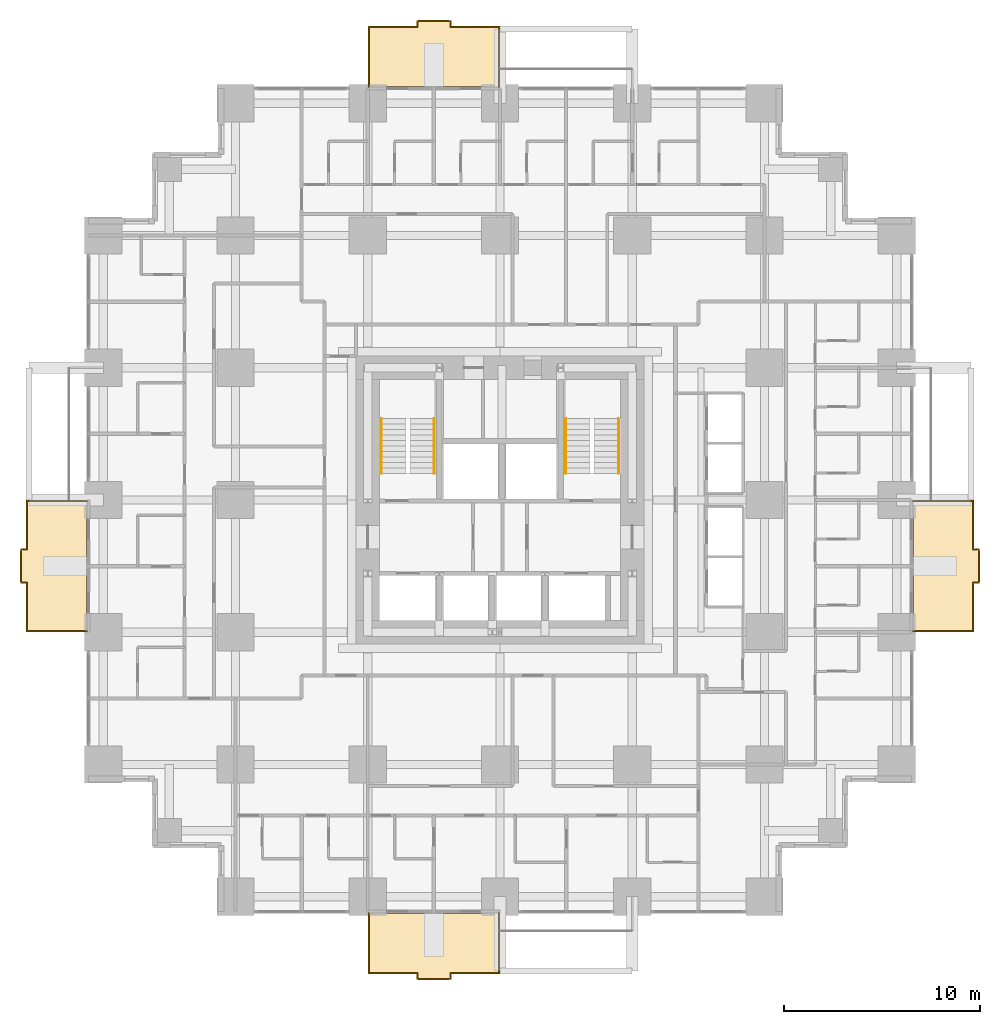
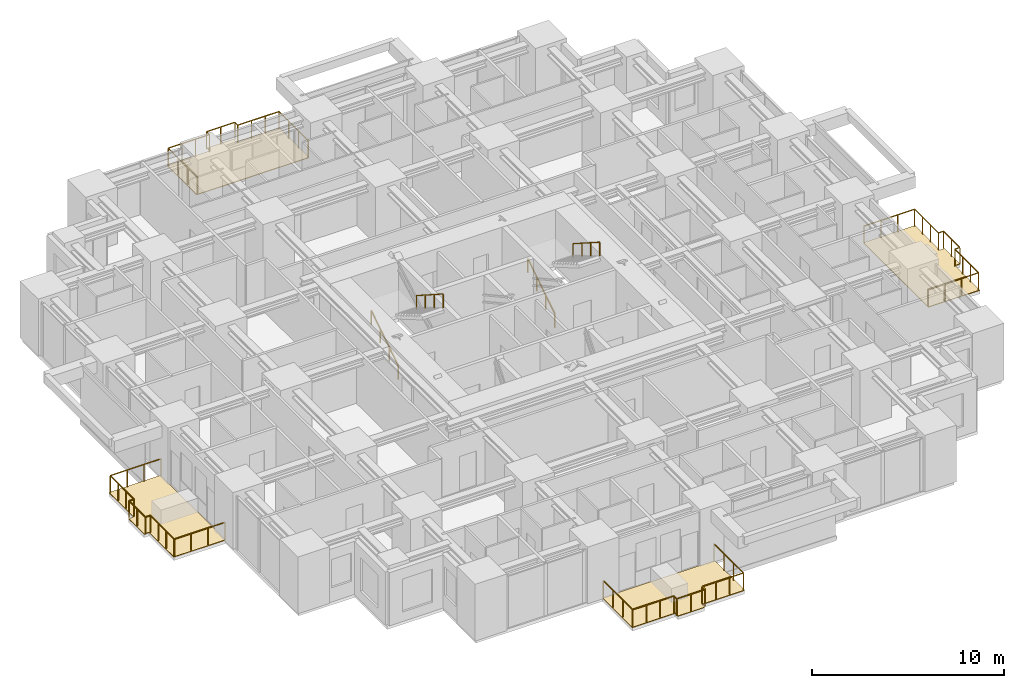
# One storey, part 15 of 15: 8 railings, 4 coverings.
"""IFC4 building model written with IfcOpenShell, lengths in metres."""

from ifc_helpers import new_model, si_unit, direction, frame, origin, origin_2d, place, context, subcontext, project, spatial, polyline, rectangle, outline, extrude, material, layer, layer_set, type_object, element, save


model = new_model("IFC4")

# Units and contexts
model_context = context("Model", 3, precision=1e-05, world=origin(), true_north=direction((0.0, 1.0)))
body_context = subcontext(model_context, "Body", "Model", "MODEL_VIEW")
ifc_project = project(units=[si_unit("LENGTHUNIT", "METRE"), si_unit("AREAUNIT", "SQUARE_METRE"), si_unit("VOLUMEUNIT", "CUBIC_METRE"), si_unit("PLANEANGLEUNIT", "RADIAN"), si_unit("MASSUNIT", "GRAM", prefix="KILO")], contexts=[model_context])

# Site, building, storey
site_placement = place(None, origin())
site = spatial("IfcSite", under=ifc_project, at=site_placement, CompositionType="ELEMENT")
building_placement = place(site_placement, origin())
building = spatial("IfcBuilding", under=site, at=building_placement, Name="Nyansa Garden Tower", CompositionType="ELEMENT")
storey_placement = place(building_placement, frame((0.0, 0.0, 25.199951171875)))
storey = spatial("IfcBuildingStorey", under=building, at=storey_placement, Name="L06", CompositionType="ELEMENT", Elevation=25.199951171875)

# Coverings
ifc_material_1 = material(Name="Hardwood decking on pedestals", Category="wood")
ifc_layer = layer(ifc_material_1, 0.0400390625)
ifc_layer_set = layer_set([ifc_layer], Name="Balcony decking DK40")
covering_type = type_object("IfcCoveringType", Name="Balcony decking DK40", PredefinedType="FLOORING", material=ifc_layer_set)
covering_1_placement = place(storey_placement, frame((0.0, 0.0, -0.0400390625)))
element("IfcCovering", 1, at=covering_1_placement, inside=storey, type_object=covering_type, Name="Balcony decking L06", PredefinedType="FLOORING", context=body_context, shape_type="SweptSolid", body=[
    extrude(outline(polyline([(13.5, -0.85009765625), (20.25, -0.85009765625), (20.25, -3.949951171875), (17.675048828125, -3.949951171875), (17.675048828125, -4.25), (16.074951171875, -4.25), (16.074951171875, -3.949951171875), (13.5, -3.949951171875), (13.5, -0.85009765625)])), origin(), (0.0, 0.0, 1.0), 0.0400390625),
])
covering_2_placement = place(storey_placement, frame((0.0, 0.0, -0.0400390625)))
element("IfcCovering", 2, at=covering_2_placement, inside=storey, type_object=covering_type, Name="Balcony decking L06", PredefinedType="FLOORING", context=body_context, shape_type="SweptSolid", body=[
    extrude(outline(polyline([(41.35009765625, 13.5), (41.35009765625, 20.25), (44.449951171875, 20.25), (44.449951171875, 17.675048828125), (44.75, 17.675048828125), (44.75, 16.074951171875), (44.449951171875, 16.074951171875), (44.449951171875, 13.5), (41.35009765625, 13.5)])), origin(), (0.0, 0.0, 1.0), 0.0400390625),
])
covering_3_placement = place(storey_placement, frame((0.0, 0.0, -0.0400390625)))
element("IfcCovering", 3, at=covering_3_placement, inside=storey, type_object=covering_type, Name="Balcony decking L06", PredefinedType="FLOORING", context=body_context, shape_type="SweptSolid", body=[
    extrude(outline(polyline([(13.5, 41.35009765625), (20.25, 41.35009765625), (20.25, 44.449951171875), (17.675048828125, 44.449951171875), (17.675048828125, 44.75), (16.074951171875, 44.75), (16.074951171875, 44.449951171875), (13.5, 44.449951171875), (13.5, 41.35009765625)])), origin(), (0.0, 0.0, 1.0), 0.0400390625),
])
covering_4_placement = place(storey_placement, frame((0.0, 0.0, -0.0400390625)))
element("IfcCovering", 4, at=covering_4_placement, inside=storey, type_object=covering_type, Name="Balcony decking L06", PredefinedType="FLOORING", context=body_context, shape_type="SweptSolid", body=[
    extrude(outline(polyline([(-0.85009765625, 13.5), (-0.85009765625, 20.25), (-3.949951171875, 20.25), (-3.949951171875, 17.675048828125), (-4.25, 17.675048828125), (-4.25, 16.074951171875), (-3.949951171875, 16.074951171875), (-3.949951171875, 13.5), (-0.85009765625, 13.5)])), origin(), (0.0, 0.0, 1.0), 0.0400390625),
])

# Railings
ifc_material_2 = material(Name="Black powder-coated steel balusters, laminated glass infill", Category="steel")
railing_type_1 = type_object("IfcRailingType", Name="Balcony guard G1", PredefinedType="GUARDRAIL", material=ifc_material_2)
railing_1_placement = place(storey_placement, frame((13.550048828125, -0.85009765625, 0.0)))
element("IfcRailing", 5, at=railing_1_placement, inside=storey, type_object=railing_type_1, Name="Balcony guard L06", PredefinedType="GUARDRAIL", context=body_context, shape_type="SweptSolid", body=[
    extrude(rectangle(XDim=0.048095703125, YDim=0.048095703125, at=origin_2d()), frame((0.0, 0.0, 1.076171875), z_axis=(0.0, -1.0, 0.0), x_axis=(1.0, 0.0, 0.0)), (0.0, 0.0, 1.0), 3.0498046875),
    extrude(rectangle(XDim=0.048095703125, YDim=0.048095703125, at=origin_2d()), frame((0.0, -3.0498046875, 1.076171875), z_axis=(1.0, 0.0, 0.0), x_axis=(0.0, 1.0, 0.0)), (0.0, 0.0, 1.0), 2.474853515625),
    extrude(rectangle(XDim=0.048095703125, YDim=0.048095703125, at=origin_2d()), frame((2.474853515625, -3.0498046875, 1.076171875), z_axis=(0.0, -1.0, 0.0), x_axis=(1.0, 0.0, 0.0)), (0.0, 0.0, 1.0), 0.300048828125),
    extrude(rectangle(XDim=0.048095703125, YDim=0.048095703125, at=origin_2d()), frame((2.474853515625, -3.349853515625, 1.076171875), z_axis=(1.0, 0.0, 0.0), x_axis=(0.0, 1.0, 0.0)), (0.0, 0.0, 1.0), 1.7001953125),
    extrude(rectangle(XDim=0.048095703125, YDim=0.048095703125, at=origin_2d()), frame((4.175048828125, -3.349853515625, 1.076171875), z_axis=(0.0, 1.0, 0.0), x_axis=(-1.0, 0.0, 0.0)), (0.0, 0.0, 1.0), 0.300048828125),
    extrude(rectangle(XDim=0.048095703125, YDim=0.048095703125, at=origin_2d()), frame((4.175048828125, -3.0498046875, 1.076171875), z_axis=(1.0, 0.0, 0.0), x_axis=(0.0, 1.0, 0.0)), (0.0, 0.0, 1.0), 2.474853515625),
    extrude(rectangle(XDim=0.048095703125, YDim=0.048095703125, at=origin_2d()), frame((6.64990234375, -3.0498046875, 1.076171875), z_axis=(0.0, 1.0, 0.0), x_axis=(-1.0, 0.0, 0.0)), (0.0, 0.0, 1.0), 3.0498046875),
    extrude(rectangle(XDim=0.0419921875, YDim=0.0419921875, at=origin_2d()), origin(), (0.0, 0.0, 1.0), 1.052001953125),
    extrude(rectangle(XDim=0.0419921875, YDim=0.0419921875, at=origin_2d()), frame((0.0, -1.0166015625, 0.0)), (0.0, 0.0, 1.0), 1.052001953125),
    extrude(rectangle(XDim=0.0419921875, YDim=0.0419921875, at=origin_2d()), frame((0.0, -2.033203125, 0.0)), (0.0, 0.0, 1.0), 1.052001953125),
    extrude(rectangle(XDim=0.0419921875, YDim=0.0419921875, at=origin_2d()), frame((0.0, -3.0498046875, 0.0)), (0.0, 0.0, 1.0), 1.052001953125),
    extrude(rectangle(XDim=0.0419921875, YDim=0.0419921875, at=origin_2d()), frame((0.824951171875, -3.0498046875, 0.0)), (0.0, 0.0, 1.0), 1.052001953125),
    extrude(rectangle(XDim=0.0419921875, YDim=0.0419921875, at=origin_2d()), frame((1.64990234375, -3.0498046875, 0.0)), (0.0, 0.0, 1.0), 1.052001953125),
    extrude(rectangle(XDim=0.0419921875, YDim=0.0419921875, at=origin_2d()), frame((2.474853515625, -3.0498046875, 0.0)), (0.0, 0.0, 1.0), 1.052001953125),
    extrude(rectangle(XDim=0.0419921875, YDim=0.0419921875, at=origin_2d()), frame((2.474853515625, -3.349853515625, 0.0)), (0.0, 0.0, 1.0), 1.052001953125),
    extrude(rectangle(XDim=0.0419921875, YDim=0.0419921875, at=origin_2d()), frame((3.324951171875, -3.349853515625, 0.0)), (0.0, 0.0, 1.0), 1.052001953125),
    extrude(rectangle(XDim=0.0419921875, YDim=0.0419921875, at=origin_2d()), frame((4.175048828125, -3.349853515625, 0.0)), (0.0, 0.0, 1.0), 1.052001953125),
    extrude(rectangle(XDim=0.0419921875, YDim=0.0419921875, at=origin_2d()), frame((4.175048828125, -3.0498046875, 0.0)), (0.0, 0.0, 1.0), 1.052001953125),
    extrude(rectangle(XDim=0.0419921875, YDim=0.0419921875, at=origin_2d()), frame((5.0, -3.0498046875, 0.0)), (0.0, 0.0, 1.0), 1.052001953125),
    extrude(rectangle(XDim=0.0419921875, YDim=0.0419921875, at=origin_2d()), frame((5.824951171875, -3.0498046875, 0.0)), (0.0, 0.0, 1.0), 1.052001953125),
    extrude(rectangle(XDim=0.0419921875, YDim=0.0419921875, at=origin_2d()), frame((6.64990234375, -3.0498046875, 0.0)), (0.0, 0.0, 1.0), 1.052001953125),
    extrude(rectangle(XDim=0.0419921875, YDim=0.0419921875, at=origin_2d()), frame((6.64990234375, -2.033203125, 0.0)), (0.0, 0.0, 1.0), 1.052001953125),
    extrude(rectangle(XDim=0.0419921875, YDim=0.0419921875, at=origin_2d()), frame((6.64990234375, -1.0166015625, 0.0)), (0.0, 0.0, 1.0), 1.052001953125),
    extrude(rectangle(XDim=0.0419921875, YDim=0.0419921875, at=origin_2d()), frame((6.64990234375, 0.0, 0.0)), (0.0, 0.0, 1.0), 1.052001953125),
])
railing_2_placement = place(storey_placement, frame((41.35009765625, 13.550048828125, 0.0)))
element("IfcRailing", 6, at=railing_2_placement, inside=storey, type_object=railing_type_1, Name="Balcony guard L06", PredefinedType="GUARDRAIL", context=body_context, shape_type="SweptSolid", body=[
    extrude(rectangle(XDim=0.048095703125, YDim=0.048095703125, at=origin_2d()), frame((0.0, 0.0, 1.076171875), z_axis=(1.0, 0.0, 0.0), x_axis=(0.0, 1.0, 0.0)), (0.0, 0.0, 1.0), 3.0498046875),
    extrude(rectangle(XDim=0.048095703125, YDim=0.048095703125, at=origin_2d()), frame((3.0498046875, 0.0, 1.076171875), z_axis=(0.0, 1.0, 0.0), x_axis=(-1.0, 0.0, 0.0)), (0.0, 0.0, 1.0), 2.474853515625),
    extrude(rectangle(XDim=0.048095703125, YDim=0.048095703125, at=origin_2d()), frame((3.0498046875, 2.474853515625, 1.076171875), z_axis=(1.0, 0.0, 0.0), x_axis=(0.0, 1.0, 0.0)), (0.0, 0.0, 1.0), 0.300048828125),
    extrude(rectangle(XDim=0.048095703125, YDim=0.048095703125, at=origin_2d()), frame((3.349853515625, 2.474853515625, 1.076171875), z_axis=(0.0, 1.0, 0.0), x_axis=(-1.0, 0.0, 0.0)), (0.0, 0.0, 1.0), 1.7001953125),
    extrude(rectangle(XDim=0.048095703125, YDim=0.048095703125, at=origin_2d()), frame((3.349853515625, 4.175048828125, 1.076171875), z_axis=(-1.0, 0.0, 0.0), x_axis=(0.0, -1.0, 0.0)), (0.0, 0.0, 1.0), 0.300048828125),
    extrude(rectangle(XDim=0.048095703125, YDim=0.048095703125, at=origin_2d()), frame((3.0498046875, 4.175048828125, 1.076171875), z_axis=(0.0, 1.0, 0.0), x_axis=(-1.0, 0.0, 0.0)), (0.0, 0.0, 1.0), 2.474853515625),
    extrude(rectangle(XDim=0.048095703125, YDim=0.048095703125, at=origin_2d()), frame((3.0498046875, 6.64990234375, 1.076171875), z_axis=(-1.0, 0.0, 0.0), x_axis=(0.0, -1.0, 0.0)), (0.0, 0.0, 1.0), 3.0498046875),
    extrude(rectangle(XDim=0.0419921875, YDim=0.0419921875, at=origin_2d()), origin(), (0.0, 0.0, 1.0), 1.052001953125),
    extrude(rectangle(XDim=0.0419921875, YDim=0.0419921875, at=origin_2d()), frame((1.0166015625, 0.0, 0.0)), (0.0, 0.0, 1.0), 1.052001953125),
    extrude(rectangle(XDim=0.0419921875, YDim=0.0419921875, at=origin_2d()), frame((2.033203125, 0.0, 0.0)), (0.0, 0.0, 1.0), 1.052001953125),
    extrude(rectangle(XDim=0.0419921875, YDim=0.0419921875, at=origin_2d()), frame((3.0498046875, 0.0, 0.0)), (0.0, 0.0, 1.0), 1.052001953125),
    extrude(rectangle(XDim=0.0419921875, YDim=0.0419921875, at=origin_2d()), frame((3.0498046875, 0.824951171875, 0.0)), (0.0, 0.0, 1.0), 1.052001953125),
    extrude(rectangle(XDim=0.0419921875, YDim=0.0419921875, at=origin_2d()), frame((3.0498046875, 1.64990234375, 0.0)), (0.0, 0.0, 1.0), 1.052001953125),
    extrude(rectangle(XDim=0.0419921875, YDim=0.0419921875, at=origin_2d()), frame((3.0498046875, 2.474853515625, 0.0)), (0.0, 0.0, 1.0), 1.052001953125),
    extrude(rectangle(XDim=0.0419921875, YDim=0.0419921875, at=origin_2d()), frame((3.349853515625, 2.474853515625, 0.0)), (0.0, 0.0, 1.0), 1.052001953125),
    extrude(rectangle(XDim=0.0419921875, YDim=0.0419921875, at=origin_2d()), frame((3.349853515625, 3.324951171875, 0.0)), (0.0, 0.0, 1.0), 1.052001953125),
    extrude(rectangle(XDim=0.0419921875, YDim=0.0419921875, at=origin_2d()), frame((3.349853515625, 4.175048828125, 0.0)), (0.0, 0.0, 1.0), 1.052001953125),
    extrude(rectangle(XDim=0.0419921875, YDim=0.0419921875, at=origin_2d()), frame((3.0498046875, 4.175048828125, 0.0)), (0.0, 0.0, 1.0), 1.052001953125),
    extrude(rectangle(XDim=0.0419921875, YDim=0.0419921875, at=origin_2d()), frame((3.0498046875, 5.0, 0.0)), (0.0, 0.0, 1.0), 1.052001953125),
    extrude(rectangle(XDim=0.0419921875, YDim=0.0419921875, at=origin_2d()), frame((3.0498046875, 5.824951171875, 0.0)), (0.0, 0.0, 1.0), 1.052001953125),
    extrude(rectangle(XDim=0.0419921875, YDim=0.0419921875, at=origin_2d()), frame((3.0498046875, 6.64990234375, 0.0)), (0.0, 0.0, 1.0), 1.052001953125),
    extrude(rectangle(XDim=0.0419921875, YDim=0.0419921875, at=origin_2d()), frame((2.033203125, 6.64990234375, 0.0)), (0.0, 0.0, 1.0), 1.052001953125),
    extrude(rectangle(XDim=0.0419921875, YDim=0.0419921875, at=origin_2d()), frame((1.0166015625, 6.64990234375, 0.0)), (0.0, 0.0, 1.0), 1.052001953125),
    extrude(rectangle(XDim=0.0419921875, YDim=0.0419921875, at=origin_2d()), frame((0.0, 6.64990234375, 0.0)), (0.0, 0.0, 1.0), 1.052001953125),
])
railing_3_placement = place(storey_placement, frame((13.550048828125, 41.35009765625, 0.0)))
element("IfcRailing", 7, at=railing_3_placement, inside=storey, type_object=railing_type_1, Name="Balcony guard L06", PredefinedType="GUARDRAIL", context=body_context, shape_type="SweptSolid", body=[
    extrude(rectangle(XDim=0.048095703125, YDim=0.048095703125, at=origin_2d()), frame((0.0, 0.0, 1.076171875), z_axis=(0.0, 1.0, 0.0), x_axis=(-1.0, 0.0, 0.0)), (0.0, 0.0, 1.0), 3.0498046875),
    extrude(rectangle(XDim=0.048095703125, YDim=0.048095703125, at=origin_2d()), frame((0.0, 3.0498046875, 1.076171875), z_axis=(1.0, 0.0, 0.0), x_axis=(0.0, 1.0, 0.0)), (0.0, 0.0, 1.0), 2.474853515625),
    extrude(rectangle(XDim=0.048095703125, YDim=0.048095703125, at=origin_2d()), frame((2.474853515625, 3.0498046875, 1.076171875), z_axis=(0.0, 1.0, 0.0), x_axis=(-1.0, 0.0, 0.0)), (0.0, 0.0, 1.0), 0.300048828125),
    extrude(rectangle(XDim=0.048095703125, YDim=0.048095703125, at=origin_2d()), frame((2.474853515625, 3.349853515625, 1.076171875), z_axis=(1.0, 0.0, 0.0), x_axis=(0.0, 1.0, 0.0)), (0.0, 0.0, 1.0), 1.7001953125),
    extrude(rectangle(XDim=0.048095703125, YDim=0.048095703125, at=origin_2d()), frame((4.175048828125, 3.349853515625, 1.076171875), z_axis=(0.0, -1.0, 0.0), x_axis=(1.0, 0.0, 0.0)), (0.0, 0.0, 1.0), 0.300048828125),
    extrude(rectangle(XDim=0.048095703125, YDim=0.048095703125, at=origin_2d()), frame((4.175048828125, 3.0498046875, 1.076171875), z_axis=(1.0, 0.0, 0.0), x_axis=(0.0, 1.0, 0.0)), (0.0, 0.0, 1.0), 2.474853515625),
    extrude(rectangle(XDim=0.048095703125, YDim=0.048095703125, at=origin_2d()), frame((6.64990234375, 3.0498046875, 1.076171875), z_axis=(0.0, -1.0, 0.0), x_axis=(1.0, 0.0, 0.0)), (0.0, 0.0, 1.0), 3.0498046875),
    extrude(rectangle(XDim=0.0419921875, YDim=0.0419921875, at=origin_2d()), origin(), (0.0, 0.0, 1.0), 1.052001953125),
    extrude(rectangle(XDim=0.0419921875, YDim=0.0419921875, at=origin_2d()), frame((0.0, 1.0166015625, 0.0)), (0.0, 0.0, 1.0), 1.052001953125),
    extrude(rectangle(XDim=0.0419921875, YDim=0.0419921875, at=origin_2d()), frame((0.0, 2.033203125, 0.0)), (0.0, 0.0, 1.0), 1.052001953125),
    extrude(rectangle(XDim=0.0419921875, YDim=0.0419921875, at=origin_2d()), frame((0.0, 3.0498046875, 0.0)), (0.0, 0.0, 1.0), 1.052001953125),
    extrude(rectangle(XDim=0.0419921875, YDim=0.0419921875, at=origin_2d()), frame((0.824951171875, 3.0498046875, 0.0)), (0.0, 0.0, 1.0), 1.052001953125),
    extrude(rectangle(XDim=0.0419921875, YDim=0.0419921875, at=origin_2d()), frame((1.64990234375, 3.0498046875, 0.0)), (0.0, 0.0, 1.0), 1.052001953125),
    extrude(rectangle(XDim=0.0419921875, YDim=0.0419921875, at=origin_2d()), frame((2.474853515625, 3.0498046875, 0.0)), (0.0, 0.0, 1.0), 1.052001953125),
    extrude(rectangle(XDim=0.0419921875, YDim=0.0419921875, at=origin_2d()), frame((2.474853515625, 3.349853515625, 0.0)), (0.0, 0.0, 1.0), 1.052001953125),
    extrude(rectangle(XDim=0.0419921875, YDim=0.0419921875, at=origin_2d()), frame((3.324951171875, 3.349853515625, 0.0)), (0.0, 0.0, 1.0), 1.052001953125),
    extrude(rectangle(XDim=0.0419921875, YDim=0.0419921875, at=origin_2d()), frame((4.175048828125, 3.349853515625, 0.0)), (0.0, 0.0, 1.0), 1.052001953125),
    extrude(rectangle(XDim=0.0419921875, YDim=0.0419921875, at=origin_2d()), frame((4.175048828125, 3.0498046875, 0.0)), (0.0, 0.0, 1.0), 1.052001953125),
    extrude(rectangle(XDim=0.0419921875, YDim=0.0419921875, at=origin_2d()), frame((5.0, 3.0498046875, 0.0)), (0.0, 0.0, 1.0), 1.052001953125),
    extrude(rectangle(XDim=0.0419921875, YDim=0.0419921875, at=origin_2d()), frame((5.824951171875, 3.0498046875, 0.0)), (0.0, 0.0, 1.0), 1.052001953125),
    extrude(rectangle(XDim=0.0419921875, YDim=0.0419921875, at=origin_2d()), frame((6.64990234375, 3.0498046875, 0.0)), (0.0, 0.0, 1.0), 1.052001953125),
    extrude(rectangle(XDim=0.0419921875, YDim=0.0419921875, at=origin_2d()), frame((6.64990234375, 2.033203125, 0.0)), (0.0, 0.0, 1.0), 1.052001953125),
    extrude(rectangle(XDim=0.0419921875, YDim=0.0419921875, at=origin_2d()), frame((6.64990234375, 1.0166015625, 0.0)), (0.0, 0.0, 1.0), 1.052001953125),
    extrude(rectangle(XDim=0.0419921875, YDim=0.0419921875, at=origin_2d()), frame((6.64990234375, 0.0, 0.0)), (0.0, 0.0, 1.0), 1.052001953125),
])
railing_4_placement = place(storey_placement, frame((-0.85009765625, 13.550048828125, 0.0)))
element("IfcRailing", 8, at=railing_4_placement, inside=storey, type_object=railing_type_1, Name="Balcony guard L06", PredefinedType="GUARDRAIL", context=body_context, shape_type="SweptSolid", body=[
    extrude(rectangle(XDim=0.048095703125, YDim=0.048095703125, at=origin_2d()), frame((0.0, 0.0, 1.076171875), z_axis=(-1.0, 0.0, 0.0), x_axis=(0.0, -1.0, 0.0)), (0.0, 0.0, 1.0), 3.0498046875),
    extrude(rectangle(XDim=0.048095703125, YDim=0.048095703125, at=origin_2d()), frame((-3.0498046875, 0.0, 1.076171875), z_axis=(0.0, 1.0, 0.0), x_axis=(-1.0, 0.0, 0.0)), (0.0, 0.0, 1.0), 2.474853515625),
    extrude(rectangle(XDim=0.048095703125, YDim=0.048095703125, at=origin_2d()), frame((-3.0498046875, 2.474853515625, 1.076171875), z_axis=(-1.0, 0.0, 0.0), x_axis=(0.0, -1.0, 0.0)), (0.0, 0.0, 1.0), 0.300048828125),
    extrude(rectangle(XDim=0.048095703125, YDim=0.048095703125, at=origin_2d()), frame((-3.349853515625, 2.474853515625, 1.076171875), z_axis=(0.0, 1.0, 0.0), x_axis=(-1.0, 0.0, 0.0)), (0.0, 0.0, 1.0), 1.7001953125),
    extrude(rectangle(XDim=0.048095703125, YDim=0.048095703125, at=origin_2d()), frame((-3.349853515625, 4.175048828125, 1.076171875), z_axis=(1.0, 0.0, 0.0), x_axis=(0.0, 1.0, 0.0)), (0.0, 0.0, 1.0), 0.300048828125),
    extrude(rectangle(XDim=0.048095703125, YDim=0.048095703125, at=origin_2d()), frame((-3.0498046875, 4.175048828125, 1.076171875), z_axis=(0.0, 1.0, 0.0), x_axis=(-1.0, 0.0, 0.0)), (0.0, 0.0, 1.0), 2.474853515625),
    extrude(rectangle(XDim=0.048095703125, YDim=0.048095703125, at=origin_2d()), frame((-3.0498046875, 6.64990234375, 1.076171875), z_axis=(1.0, 0.0, 0.0), x_axis=(0.0, 1.0, 0.0)), (0.0, 0.0, 1.0), 3.0498046875),
    extrude(rectangle(XDim=0.0419921875, YDim=0.0419921875, at=origin_2d()), origin(), (0.0, 0.0, 1.0), 1.052001953125),
    extrude(rectangle(XDim=0.0419921875, YDim=0.0419921875, at=origin_2d()), frame((-1.0166015625, 0.0, 0.0)), (0.0, 0.0, 1.0), 1.052001953125),
    extrude(rectangle(XDim=0.0419921875, YDim=0.0419921875, at=origin_2d()), frame((-2.033203125, 0.0, 0.0)), (0.0, 0.0, 1.0), 1.052001953125),
    extrude(rectangle(XDim=0.0419921875, YDim=0.0419921875, at=origin_2d()), frame((-3.0498046875, 0.0, 0.0)), (0.0, 0.0, 1.0), 1.052001953125),
    extrude(rectangle(XDim=0.0419921875, YDim=0.0419921875, at=origin_2d()), frame((-3.0498046875, 0.824951171875, 0.0)), (0.0, 0.0, 1.0), 1.052001953125),
    extrude(rectangle(XDim=0.0419921875, YDim=0.0419921875, at=origin_2d()), frame((-3.0498046875, 1.64990234375, 0.0)), (0.0, 0.0, 1.0), 1.052001953125),
    extrude(rectangle(XDim=0.0419921875, YDim=0.0419921875, at=origin_2d()), frame((-3.0498046875, 2.474853515625, 0.0)), (0.0, 0.0, 1.0), 1.052001953125),
    extrude(rectangle(XDim=0.0419921875, YDim=0.0419921875, at=origin_2d()), frame((-3.349853515625, 2.474853515625, 0.0)), (0.0, 0.0, 1.0), 1.052001953125),
    extrude(rectangle(XDim=0.0419921875, YDim=0.0419921875, at=origin_2d()), frame((-3.349853515625, 3.324951171875, 0.0)), (0.0, 0.0, 1.0), 1.052001953125),
    extrude(rectangle(XDim=0.0419921875, YDim=0.0419921875, at=origin_2d()), frame((-3.349853515625, 4.175048828125, 0.0)), (0.0, 0.0, 1.0), 1.052001953125),
    extrude(rectangle(XDim=0.0419921875, YDim=0.0419921875, at=origin_2d()), frame((-3.0498046875, 4.175048828125, 0.0)), (0.0, 0.0, 1.0), 1.052001953125),
    extrude(rectangle(XDim=0.0419921875, YDim=0.0419921875, at=origin_2d()), frame((-3.0498046875, 5.0, 0.0)), (0.0, 0.0, 1.0), 1.052001953125),
    extrude(rectangle(XDim=0.0419921875, YDim=0.0419921875, at=origin_2d()), frame((-3.0498046875, 5.824951171875, 0.0)), (0.0, 0.0, 1.0), 1.052001953125),
    extrude(rectangle(XDim=0.0419921875, YDim=0.0419921875, at=origin_2d()), frame((-3.0498046875, 6.64990234375, 0.0)), (0.0, 0.0, 1.0), 1.052001953125),
    extrude(rectangle(XDim=0.0419921875, YDim=0.0419921875, at=origin_2d()), frame((-2.033203125, 6.64990234375, 0.0)), (0.0, 0.0, 1.0), 1.052001953125),
    extrude(rectangle(XDim=0.0419921875, YDim=0.0419921875, at=origin_2d()), frame((-1.0166015625, 6.64990234375, 0.0)), (0.0, 0.0, 1.0), 1.052001953125),
    extrude(rectangle(XDim=0.0419921875, YDim=0.0419921875, at=origin_2d()), frame((0.0, 6.64990234375, 0.0)), (0.0, 0.0, 1.0), 1.052001953125),
])
ifc_material_3 = material(Name="Black powder-coated steel tube 48 mm", Category="steel")
railing_type_2 = type_object("IfcRailingType", Name="Stair handrail HR1", PredefinedType="HANDRAIL", material=ifc_material_3)
railing_5_placement = place(storey_placement, frame((14.199951171875, 21.60009765625, 0.0)))
element("IfcRailing", 9, at=railing_5_placement, inside=storey, type_object=railing_type_2, Name="Stair S1 handrail L06", PredefinedType="HANDRAIL", context=body_context, shape_type="SweptSolid", body=[
    extrude(rectangle(XDim=0.048095703125, YDim=0.048095703125, at=origin_2d()), frame((0.0, 0.0, 0.8759765625), z_axis=(0.0, 0.841154643086, 0.54079466197), x_axis=(-1.0, 0.0, 0.0)), (0.0, 0.0, 1.0), 3.32861328125),
    extrude(rectangle(XDim=0.0419921875, YDim=0.0419921875, at=origin_2d()), origin(), (0.0, 0.0, 1.0), 0.851806640625),
    extrude(rectangle(XDim=0.0419921875, YDim=0.0419921875, at=origin_2d()), frame((0.0, 0.933349609375, 0.60009765625)), (0.0, 0.0, 1.0), 0.851806640625),
    extrude(rectangle(XDim=0.0419921875, YDim=0.0419921875, at=origin_2d()), frame((0.0, 1.866455078125, 1.199951171875)), (0.0, 0.0, 1.0), 0.851806640625),
    extrude(rectangle(XDim=0.0419921875, YDim=0.0419921875, at=origin_2d()), frame((0.0, 2.7998046875, 1.800048828125)), (0.0, 0.0, 1.0), 0.851806640625),
])
railing_6_placement = place(storey_placement, frame((16.89990234375, 24.39990234375, 1.800048828125)))
element("IfcRailing", 10, at=railing_6_placement, inside=storey, type_object=railing_type_2, Name="Stair S1 handrail L06", PredefinedType="HANDRAIL", context=body_context, shape_type="SweptSolid", body=[
    extrude(rectangle(XDim=0.048095703125, YDim=0.048095703125, at=origin_2d()), frame((0.0, 0.0, 0.8759765625), z_axis=(0.0, -0.841154643086, 0.54079466197), x_axis=(1.0, 0.0, 0.0)), (0.0, 0.0, 1.0), 3.32861328125),
    extrude(rectangle(XDim=0.0419921875, YDim=0.0419921875, at=origin_2d()), origin(), (0.0, 0.0, 1.0), 0.851806640625),
    extrude(rectangle(XDim=0.0419921875, YDim=0.0419921875, at=origin_2d()), frame((0.0, -0.933349609375, 0.60009765625)), (0.0, 0.0, 1.0), 0.851806640625),
    extrude(rectangle(XDim=0.0419921875, YDim=0.0419921875, at=origin_2d()), frame((0.0, -1.866455078125, 1.199951171875)), (0.0, 0.0, 1.0), 0.851806640625),
    extrude(rectangle(XDim=0.0419921875, YDim=0.0419921875, at=origin_2d()), frame((0.0, -2.7998046875, 1.800048828125)), (0.0, 0.0, 1.0), 0.851806640625),
])
railing_7_placement = place(storey_placement, frame((23.60009765625, 21.60009765625, 0.0)))
element("IfcRailing", 11, at=railing_7_placement, inside=storey, type_object=railing_type_2, Name="Stair S2 handrail L06", PredefinedType="HANDRAIL", context=body_context, shape_type="SweptSolid", body=[
    extrude(rectangle(XDim=0.048095703125, YDim=0.048095703125, at=origin_2d()), frame((0.0, 0.0, 0.8759765625), z_axis=(0.0, 0.841154643086, 0.54079466197), x_axis=(-1.0, 0.0, 0.0)), (0.0, 0.0, 1.0), 3.32861328125),
    extrude(rectangle(XDim=0.0419921875, YDim=0.0419921875, at=origin_2d()), origin(), (0.0, 0.0, 1.0), 0.851806640625),
    extrude(rectangle(XDim=0.0419921875, YDim=0.0419921875, at=origin_2d()), frame((0.0, 0.933349609375, 0.60009765625)), (0.0, 0.0, 1.0), 0.851806640625),
    extrude(rectangle(XDim=0.0419921875, YDim=0.0419921875, at=origin_2d()), frame((0.0, 1.866455078125, 1.199951171875)), (0.0, 0.0, 1.0), 0.851806640625),
    extrude(rectangle(XDim=0.0419921875, YDim=0.0419921875, at=origin_2d()), frame((0.0, 2.7998046875, 1.800048828125)), (0.0, 0.0, 1.0), 0.851806640625),
])
railing_8_placement = place(storey_placement, frame((26.300048828125, 24.39990234375, 1.800048828125)))
element("IfcRailing", 12, at=railing_8_placement, inside=storey, type_object=railing_type_2, Name="Stair S2 handrail L06", PredefinedType="HANDRAIL", context=body_context, shape_type="SweptSolid", body=[
    extrude(rectangle(XDim=0.048095703125, YDim=0.048095703125, at=origin_2d()), frame((0.0, 0.0, 0.8759765625), z_axis=(0.0, -0.841154643086, 0.54079466197), x_axis=(1.0, 0.0, 0.0)), (0.0, 0.0, 1.0), 3.32861328125),
    extrude(rectangle(XDim=0.0419921875, YDim=0.0419921875, at=origin_2d()), origin(), (0.0, 0.0, 1.0), 0.851806640625),
    extrude(rectangle(XDim=0.0419921875, YDim=0.0419921875, at=origin_2d()), frame((0.0, -0.933349609375, 0.60009765625)), (0.0, 0.0, 1.0), 0.851806640625),
    extrude(rectangle(XDim=0.0419921875, YDim=0.0419921875, at=origin_2d()), frame((0.0, -1.866455078125, 1.199951171875)), (0.0, 0.0, 1.0), 0.851806640625),
    extrude(rectangle(XDim=0.0419921875, YDim=0.0419921875, at=origin_2d()), frame((0.0, -2.7998046875, 1.800048828125)), (0.0, 0.0, 1.0), 0.851806640625),
])

save(model, "model.ifc")
